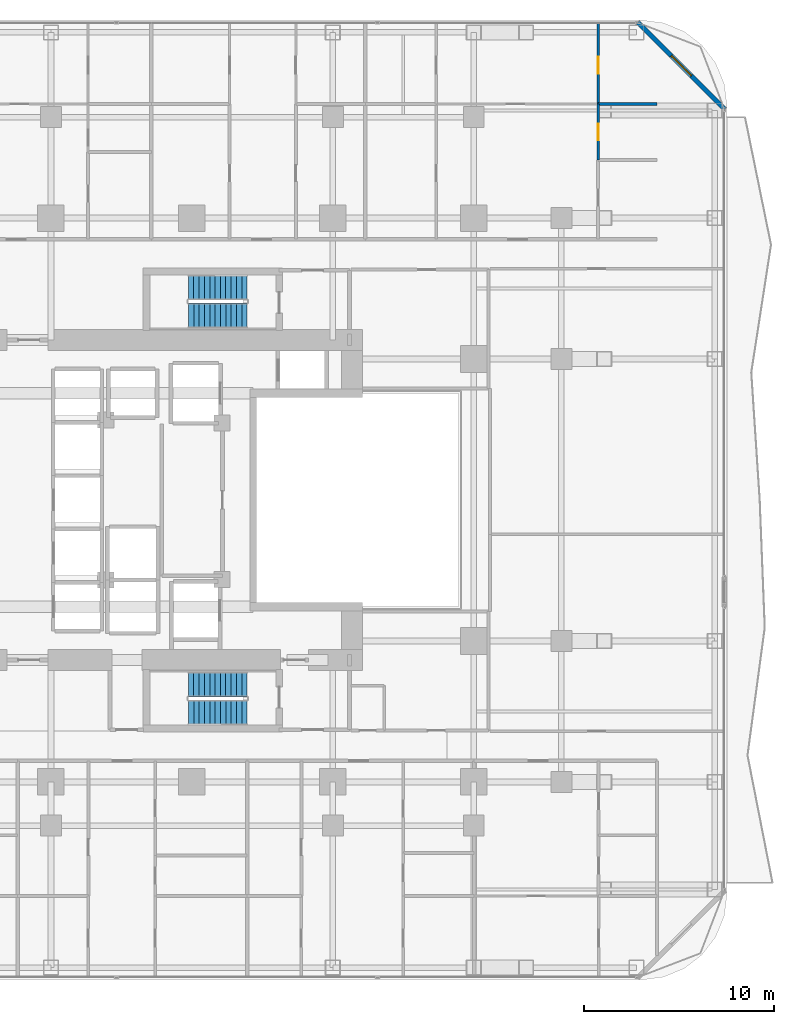
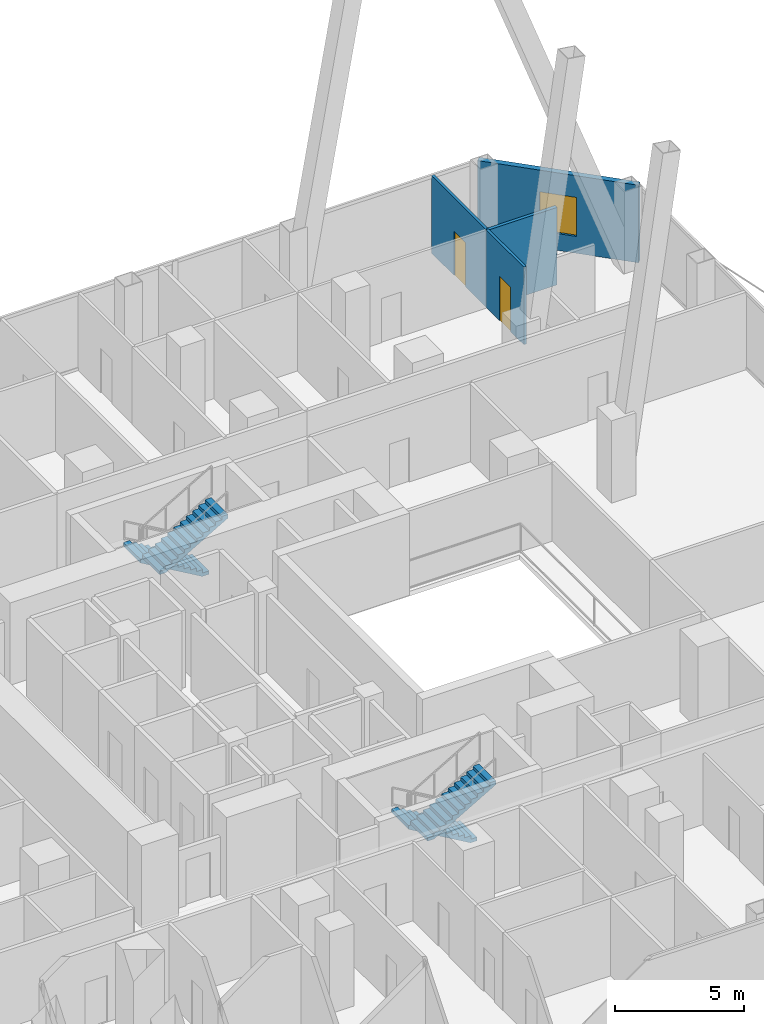
# One storey, part 30 of 33: 4 stair flights, 4 walls, 2 doors, 1 window, 3 openings, 2 elements without a shape of their own.
"""IFC4 building model written with IfcOpenShell, lengths in metres."""

from ifc_helpers import new_model, si_unit, direction, frame, frame_2d, origin, place, context, subcontext, project, spatial, polyline, rectangle, outline, extrude, material, layer, layer_set, type_object, element, fill, aggregate, save


model = new_model("IFC4")

# Units and contexts
model_context = context("Model", 3, precision=1e-05, world=origin(), true_north=direction((0.0, 1.0)))
body_context = subcontext(model_context, "Body", "Model", "MODEL_VIEW")
ifc_project = project(units=[si_unit("LENGTHUNIT", "METRE"), si_unit("AREAUNIT", "SQUARE_METRE"), si_unit("VOLUMEUNIT", "CUBIC_METRE"), si_unit("PLANEANGLEUNIT", "RADIAN"), si_unit("MASSUNIT", "GRAM", prefix="KILO")], contexts=[model_context])

# Site, building, storey
site_placement = place(None, origin())
site = spatial("IfcSite", under=ifc_project, at=site_placement, CompositionType="ELEMENT")
building_placement = place(site_placement, origin())
building = spatial("IfcBuilding", under=site, at=building_placement, Name="Khorvyn Point Tower", CompositionType="ELEMENT")
storey_placement = place(building_placement, frame((0.0, 0.0, 38.39990234375)))
storey = spatial("IfcBuildingStorey", under=building, at=storey_placement, Name="L10", CompositionType="ELEMENT", Elevation=38.39990234375)

# Wall, opening, window
ifc_material_1 = material(Name="Pale anodised aluminium rainscreen on steel stud", Category="steel")
ifc_layer_1 = layer(ifc_material_1, 0.239990234375)
ifc_layer_set_1 = layer_set([ifc_layer_1], Name="Anodised Aluminium Insulated Corner Spandrel Wall 240")
wall_type_1 = type_object("IfcWallType", Name="Anodised Aluminium Insulated Corner Spandrel Wall 240", PredefinedType="SOLIDWALL", material=ifc_layer_set_1)
wall_1_placement = place(storey_placement, frame((23.40771484375, 25.09228515625, 0.0), z_axis=(0.0, 0.0, 1.0), x_axis=(0.707106781187, -0.707106781187, 0.0)))
wall_1 = element("IfcWall", 1, at=wall_1_placement, inside=storey, type_object=wall_type_1, Name="L10 Rounded Corner Wall NE", PredefinedType="SOLIDWALL", context=body_context, shape_type="SweptSolid", body=[
    extrude(rectangle(XDim=6.48388671875, YDim=0.239990234375, at=frame_2d((3.241943359375, 0.0))), origin(), (0.0, 0.0, 1.0), 3.68017578125),
])
opening_1_placement = place(wall_1_placement, frame((2.491943359375, 0.0, 0.800048828125)))
opening_1 = element("IfcOpeningElement", 2, at=opening_1_placement, cuts=wall_1, Name="Opening WN-1518", PredefinedType="OPENING", context=body_context, shape_type="SweptSolid", body=[
    extrude(rectangle(XDim=1.5, YDim=1.85009765625, at=frame_2d((0.75, 0.925048828125))), frame((0.0, 0.1298828125, 0.0), z_axis=(0.0, -1.0, 0.0), x_axis=(1.0, 0.0, 0.0)), (0.0, 0.0, 1.0), 0.260009765625),
])
ifc_material_2 = material(Name="Anodised aluminium 6063-T6 and laminated Low-E glass", Category="aluminium")
window_type = type_object("IfcWindowType", Name="Anodised Aluminium Rounded-Corner Panoramic Window 1500x1850", PartitioningType="SINGLE_PANEL", PredefinedType="WINDOW", material=ifc_material_2)
window_placement = place(opening_1_placement, origin())
window = element("IfcWindow", 3, at=window_placement, inside=storey, type_object=window_type, Name="L10 Corner Panoramic Window NE", OverallHeight=1.85009765625, OverallWidth=1.5, PartitioningType="SINGLE_PANEL", PredefinedType="WINDOW", context=body_context, shape_type="SweptSolid", body=[
    extrude(rectangle(XDim=1.5, YDim=1.85009765625, at=frame_2d((0.75, 0.925048828125))), frame((0.0, 0.030029296875, 0.0), z_axis=(0.0, -1.0, 0.0), x_axis=(1.0, 0.0, 0.0)), (0.0, 0.0, 1.0), 0.06005859375),
])
fill(opening_1, window)

# Wall, opening, door
ifc_material_3 = material(Name="Gypsum plasterboard on steel stud", Category="steel")
ifc_layer_2 = layer(ifc_material_3, 0.1201171875)
ifc_layer_set_2 = layer_set([ifc_layer_2], Name="Gypsum Acoustic Stud Room Partition Wall 120")
wall_type_2 = type_object("IfcWallType", Name="Gypsum Acoustic Stud Room Partition Wall 120", PredefinedType="PARTITIONING", material=ifc_layer_set_2)
wall_2_placement = place(storey_placement, frame((21.330078125, 17.847900390625, 0.0), z_axis=(0.0, 0.0, 1.0), x_axis=(0.0, 1.0, 0.0)))
wall_2 = element("IfcWall", 4, at=wall_2_placement, inside=storey, type_object=wall_type_2, Name="Wall", PredefinedType="PARTITIONING", context=body_context, shape_type="SweptSolid", body=[
    extrude(rectangle(XDim=2.942138671875, YDim=0.1201171875, at=frame_2d((1.47119140625, 0.0))), origin(), (0.0, 0.0, 1.0), 3.68017578125),
])
opening_2_placement = place(wall_2_placement, frame((1.0458984375, 0.0, 0.0)))
opening_2 = element("IfcOpeningElement", 5, at=opening_2_placement, cuts=wall_2, Name="Opening ID-WC85", PredefinedType="OPENING", context=body_context, shape_type="SweptSolid", body=[
    extrude(rectangle(XDim=0.85009765625, YDim=2.10009765625, at=frame_2d((0.425048828125, 1.050048828125))), frame((0.0, 0.070068359375, 0.0), z_axis=(0.0, -1.0, 0.0), x_axis=(1.0, 0.0, 0.0)), (0.0, 0.0, 1.0), 0.14013671875),
])
ifc_material_4 = material(Name="High-pressure laminate on moisture-resistant core", Category="wood")
door_type_1 = type_object("IfcDoorType", Name="Moisture-Resistant Accessible Washroom Door 850x2100", OperationType="NOTDEFINED", PredefinedType="DOOR", material=ifc_material_4)
door_1_placement = place(opening_2_placement, origin())
door_1 = element("IfcDoor", 6, at=door_1_placement, inside=storey, type_object=door_type_1, Name="Door", OperationType="SINGLE_SWING_LEFT", OverallHeight=2.10009765625, OverallWidth=0.85009765625, PredefinedType="DOOR", context=body_context, shape_type="SweptSolid", body=[
    extrude(rectangle(XDim=0.85009765625, YDim=2.10009765625, at=frame_2d((0.425048828125, 1.050048828125))), frame((0.0, 0.02490234375, 0.0), z_axis=(0.0, -1.0, 0.0), x_axis=(1.0, 0.0, 0.0)), (0.0, 0.0, 1.0), 0.050048828125),
])
fill(opening_2, door_1)

wall_3_placement = place(storey_placement, frame((21.330078125, 20.7900390625, 0.0), z_axis=(0.0, 0.0, 1.0), x_axis=(0.0, 1.0, 0.0)))
wall_3 = element("IfcWall", 7, at=wall_3_placement, inside=storey, type_object=wall_type_2, Name="Wall", PredefinedType="PARTITIONING", context=body_context, shape_type="SweptSolid", body=[
    extrude(rectangle(XDim=4.239990234375, YDim=0.1201171875, at=frame_2d((2.1201171875, 0.0))), origin(), (0.0, 0.0, 1.0), 3.68017578125),
])
opening_3_placement = place(wall_3_placement, frame((1.581298828125, 0.0, 0.0)))
opening_3 = element("IfcOpeningElement", 8, at=opening_3_placement, cuts=wall_3, Name="Opening ID-RM90", PredefinedType="OPENING", context=body_context, shape_type="SweptSolid", body=[
    extrude(rectangle(XDim=0.89990234375, YDim=2.10009765625, at=frame_2d((0.449951171875, 1.050048828125))), frame((0.0, 0.070068359375, 0.0), z_axis=(0.0, -1.0, 0.0), x_axis=(1.0, 0.0, 0.0)), (0.0, 0.0, 1.0), 0.14013671875),
])
ifc_material_5 = material(Name="Engineered oak veneer timber", Category="wood")
door_type_2 = type_object("IfcDoorType", Name="Flush Engineered Timber Room Door 900x2100", OperationType="NOTDEFINED", PredefinedType="DOOR", material=ifc_material_5)
door_2_placement = place(opening_3_placement, origin())
door_2 = element("IfcDoor", 9, at=door_2_placement, inside=storey, type_object=door_type_2, Name="Door", OperationType="SINGLE_SWING_RIGHT", OverallHeight=2.10009765625, OverallWidth=0.89990234375, PredefinedType="DOOR", context=body_context, shape_type="SweptSolid", body=[
    extrude(rectangle(XDim=0.89990234375, YDim=2.10009765625, at=frame_2d((0.449951171875, 1.050048828125))), frame((0.0, 0.02490234375, 0.0), z_axis=(0.0, -1.0, 0.0), x_axis=(1.0, 0.0, 0.0)), (0.0, 0.0, 1.0), 0.050048828125),
])
fill(opening_3, door_2)

# Wall
ifc_material_6 = material(Name="Moisture-resistant gypsum and cement board", Category="gypsum")
ifc_layer_3 = layer(ifc_material_6, 0.14990234375)
ifc_layer_set_3 = layer_set([ifc_layer_3], Name="Moisture-Resistant Wet-Room Partition Wall 150")
wall_type_3 = type_object("IfcWallType", Name="Moisture-Resistant Wet-Room Partition Wall 150", PredefinedType="PARTITIONING", material=ifc_layer_set_3)
wall_4_placement = place(storey_placement, frame((21.330078125, 20.7900390625, 0.0), z_axis=(0.0, 0.0, 1.0), x_axis=(1.0, 0.0, 0.0)))
element("IfcWall", 10, at=wall_4_placement, inside=storey, type_object=wall_type_3, Name="Wall", PredefinedType="PARTITIONING", context=body_context, shape_type="SweptSolid", body=[
    extrude(rectangle(XDim=3.08984375, YDim=0.14990234375, at=frame_2d((1.544921875, 0.0))), origin(), (0.0, 0.0, 1.0), 3.68017578125),
])

# Stair, stair flights
ifc_material_7 = material(Name="Concrete C40/50", Category="concrete")
stair_type = type_object("IfcStairType", Name="Tower Concrete C40/50 Dogleg Exit Stair", PredefinedType="HALF_TURN_STAIR", material=ifc_material_7)
stair_1_placement = place(storey_placement, origin())
stair_1 = element("IfcStair", 11, at=stair_1_placement, inside=storey, type_object=stair_type, Name="L10 Tower Smokeproof Exit Stair South", PredefinedType="HALF_TURN_STAIR")
stair_flight_type = type_object("IfcStairFlightType", Name="Tower Concrete C40/50 Stair Flight", PredefinedType="STRAIGHT", material=ifc_material_7)
stair_flight_1_placement = place(storey_placement, frame((2.89990234375, -9.679931640625, 0.0), z_axis=(0.0, 0.0, 1.0), x_axis=(-1.0, 0.0, 0.0)))
stair_flight_1 = element("IfcStairFlight", 12, at=stair_flight_1_placement, type_object=stair_flight_type, Name="ST-01 flight 1", NumberOfRisers=12, NumberOfTreads=11, PredefinedType="STRAIGHT", RiserHeight=0.1625, TreadLength=0.28, context=body_context, shape_type="SweptSolid", body=[
    extrude(outline(polyline([(0.0, 0.0), (0.0, 0.16259765625), (0.280029296875, 0.16259765625), (0.280029296875, 0.324951171875), (0.56005859375, 0.324951171875), (0.56005859375, 0.487548828125), (0.840087890625, 0.487548828125), (0.840087890625, 0.64990234375), (1.1201171875, 0.64990234375), (1.1201171875, 0.8125), (1.39990234375, 0.8125), (1.39990234375, 0.97509765625), (1.679931640625, 0.97509765625), (1.679931640625, 1.137451171875), (1.9599609375, 1.137451171875), (1.9599609375, 1.300048828125), (2.239990234375, 1.300048828125), (2.239990234375, 1.46240234375), (2.52001953125, 1.46240234375), (2.52001953125, 1.625), (2.800048828125, 1.625), (2.800048828125, 1.78759765625), (3.080078125, 1.78759765625), (3.080078125, 1.949951171875), (3.080078125, 1.6142578125), (0.298583984375, 0.0), (0.0, 0.0)])), frame((0.0, 0.66015625, 0.0), z_axis=(0.0, -1.0, 0.0), x_axis=(1.0, 0.0, 0.0)), (0.0, 0.0, 1.0), 1.320068359375),
])
stair_flight_2_placement = place(storey_placement, frame((-0.179931640625, -11.159912109375, 1.9501953125), z_axis=(0.0, 0.0, 1.0), x_axis=(1.0, 0.0, 0.0)))
stair_flight_2 = element("IfcStairFlight", 13, at=stair_flight_2_placement, type_object=stair_flight_type, Name="ST-01 flight 2", NumberOfRisers=12, NumberOfTreads=11, PredefinedType="STRAIGHT", RiserHeight=0.1625, TreadLength=0.28, context=body_context, shape_type="SweptSolid", body=[
    extrude(outline(polyline([(0.0, 0.0), (0.0, 0.16259765625), (0.280029296875, 0.16259765625), (0.280029296875, 0.324951171875), (0.56005859375, 0.324951171875), (0.56005859375, 0.487548828125), (0.840087890625, 0.487548828125), (0.840087890625, 0.64990234375), (1.1201171875, 0.64990234375), (1.1201171875, 0.8125), (1.39990234375, 0.8125), (1.39990234375, 0.97509765625), (1.679931640625, 0.97509765625), (1.679931640625, 1.137451171875), (1.9599609375, 1.137451171875), (1.9599609375, 1.300048828125), (2.239990234375, 1.300048828125), (2.239990234375, 1.46240234375), (2.52001953125, 1.46240234375), (2.52001953125, 1.625), (2.800048828125, 1.625), (2.800048828125, 1.78759765625), (3.080078125, 1.78759765625), (3.080078125, 1.949951171875), (3.080078125, 1.6142578125), (0.298583984375, 0.0), (0.0, 0.0)])), frame((0.0, 0.66015625, 0.0), z_axis=(0.0, -1.0, 0.0), x_axis=(1.0, 0.0, 0.0)), (0.0, 0.0, 1.0), 1.320068359375),
])
aggregate(stair_1, [stair_flight_1, stair_flight_2])

stair_2_placement = place(storey_placement, origin())
stair_2 = element("IfcStair", 14, at=stair_2_placement, inside=storey, type_object=stair_type, Name="L10 Tower Smokeproof Exit Stair North", PredefinedType="HALF_TURN_STAIR")
stair_flight_3_placement = place(storey_placement, frame((2.89990234375, 11.159912109375, 0.0), z_axis=(0.0, 0.0, 1.0), x_axis=(-1.0, 0.0, 0.0)))
stair_flight_3 = element("IfcStairFlight", 15, at=stair_flight_3_placement, type_object=stair_flight_type, Name="ST-02 flight 1", NumberOfRisers=12, NumberOfTreads=11, PredefinedType="STRAIGHT", RiserHeight=0.1625, TreadLength=0.28, context=body_context, shape_type="SweptSolid", body=[
    extrude(outline(polyline([(0.0, 0.0), (0.0, 0.16259765625), (0.280029296875, 0.16259765625), (0.280029296875, 0.324951171875), (0.56005859375, 0.324951171875), (0.56005859375, 0.487548828125), (0.840087890625, 0.487548828125), (0.840087890625, 0.64990234375), (1.1201171875, 0.64990234375), (1.1201171875, 0.8125), (1.39990234375, 0.8125), (1.39990234375, 0.97509765625), (1.679931640625, 0.97509765625), (1.679931640625, 1.137451171875), (1.9599609375, 1.137451171875), (1.9599609375, 1.300048828125), (2.239990234375, 1.300048828125), (2.239990234375, 1.46240234375), (2.52001953125, 1.46240234375), (2.52001953125, 1.625), (2.800048828125, 1.625), (2.800048828125, 1.78759765625), (3.080078125, 1.78759765625), (3.080078125, 1.949951171875), (3.080078125, 1.6142578125), (0.298583984375, 0.0), (0.0, 0.0)])), frame((0.0, 0.66015625, 0.0), z_axis=(0.0, -1.0, 0.0), x_axis=(1.0, 0.0, 0.0)), (0.0, 0.0, 1.0), 1.320068359375),
])
stair_flight_4_placement = place(storey_placement, frame((-0.179931640625, 9.679931640625, 1.9501953125), z_axis=(0.0, 0.0, 1.0), x_axis=(1.0, 0.0, 0.0)))
stair_flight_4 = element("IfcStairFlight", 16, at=stair_flight_4_placement, type_object=stair_flight_type, Name="ST-02 flight 2", NumberOfRisers=12, NumberOfTreads=11, PredefinedType="STRAIGHT", RiserHeight=0.1625, TreadLength=0.28, context=body_context, shape_type="SweptSolid", body=[
    extrude(outline(polyline([(0.0, 0.0), (0.0, 0.16259765625), (0.280029296875, 0.16259765625), (0.280029296875, 0.324951171875), (0.56005859375, 0.324951171875), (0.56005859375, 0.487548828125), (0.840087890625, 0.487548828125), (0.840087890625, 0.64990234375), (1.1201171875, 0.64990234375), (1.1201171875, 0.8125), (1.39990234375, 0.8125), (1.39990234375, 0.97509765625), (1.679931640625, 0.97509765625), (1.679931640625, 1.137451171875), (1.9599609375, 1.137451171875), (1.9599609375, 1.300048828125), (2.239990234375, 1.300048828125), (2.239990234375, 1.46240234375), (2.52001953125, 1.46240234375), (2.52001953125, 1.625), (2.800048828125, 1.625), (2.800048828125, 1.78759765625), (3.080078125, 1.78759765625), (3.080078125, 1.949951171875), (3.080078125, 1.6142578125), (0.298583984375, 0.0), (0.0, 0.0)])), frame((0.0, 0.66015625, 0.0), z_axis=(0.0, -1.0, 0.0), x_axis=(1.0, 0.0, 0.0)), (0.0, 0.0, 1.0), 1.320068359375),
])
aggregate(stair_2, [stair_flight_3, stair_flight_4])

save(model, "model.ifc")
